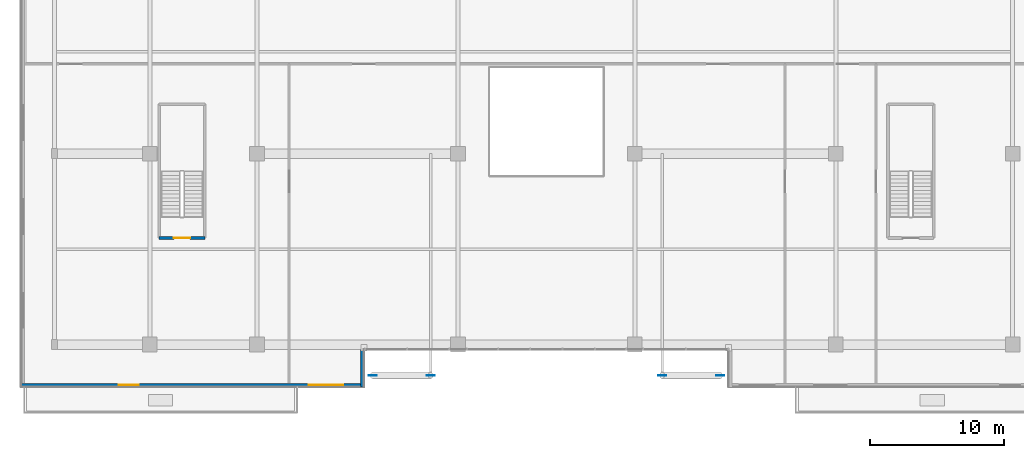
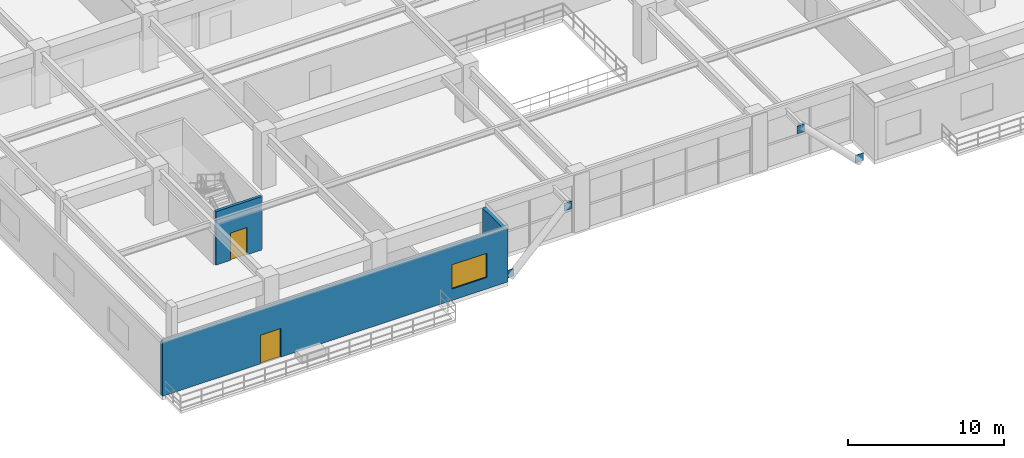
# One storey, part 14 of 24: 4 plates, 3 walls, 2 doors, 1 window, 3 openings.
"""IFC4 building model written with IfcOpenShell, lengths in metres."""

from ifc_helpers import new_model, si_unit, direction, frame, frame_2d, origin, origin_2d, place, context, subcontext, project, spatial, rectangle, extrude, source, transform, mapped, material, layer, layer_set, type_object, element, fill, save


model = new_model("IFC4")

# Units and contexts
model_context = context("Model", 3, precision=1e-05, world=origin(), true_north=direction((0.0, 1.0)))
body_context = subcontext(model_context, "Body", "Model", "MODEL_VIEW")
ifc_project = project(units=[si_unit("LENGTHUNIT", "METRE"), si_unit("AREAUNIT", "SQUARE_METRE"), si_unit("VOLUMEUNIT", "CUBIC_METRE"), si_unit("PLANEANGLEUNIT", "RADIAN"), si_unit("MASSUNIT", "GRAM", prefix="KILO")], contexts=[model_context])

# Site, building, storey
site_placement = place(None, origin())
site = spatial("IfcSite", under=ifc_project, at=site_placement, CompositionType="ELEMENT")
building_placement = place(site_placement, origin())
building = spatial("IfcBuilding", under=site, at=building_placement, Name="Trelvane Seafront Commons", CompositionType="ELEMENT")
storey_placement = place(building_placement, frame((0.0, 0.0, 9.699951171875)))
storey = spatial("IfcBuildingStorey", under=building, at=storey_placement, Name="L02", CompositionType="ELEMENT", Elevation=9.699951171875)

# Plates
ifc_material_1 = material(Name="Steel SM355 (S355)", Category="steel")
ifc_layer_1 = layer(ifc_material_1, 0.031982421875, Name="STR-PLT-GUS2")
ifc_layer_set_1 = layer_set([ifc_layer_1], Name="Steel SM355 (S355)")
plate_type = type_object("IfcPlateType", Name="STR-PLT-GUS2", PredefinedType="SHEET", material=ifc_layer_set_1)
shared_shape_1 = source(origin(), body_context, "Body", "SweptSolid", [
    extrude(rectangle(XDim=0.60009765625, YDim=0.031982421875, at=origin_2d()), origin(), (0.0, 0.0, 1.0), 0.60009765625),
])
for number, where, z_axis, x_axis, name in (
    (1, (24.239990234375, 1.64990234375, -0.3701171875), (0.0, 0.0, 1.0), (1.0, 0.0, 0.0), "L02 Brace Connection Gusset Plate GP-151"),
    (2, (28.56005859375, 1.64990234375, 3.419921875), (0.0, 0.0, 1.0), (1.0, 0.0, 0.0), "L02 Brace Connection Gusset Plate GP-152"),
    (3, (50.159912109375, 1.64990234375, -0.3701171875), (0.0, 0.0, 1.0), (1.0, 0.0, 0.0), "L02 Brace Connection Gusset Plate GP-153"),
    (4, (45.840087890625, 1.64990234375, 3.419921875), (0.0, 0.0, 1.0), (1.0, 0.0, 0.0), "L02 Brace Connection Gusset Plate GP-154"),
):
    element("IfcPlate", number, at=place(storey_placement, frame(where, z_axis=z_axis, x_axis=x_axis)), inside=storey, type_object=plate_type, Name=name, PredefinedType="SHEET", context=body_context, shape_type="MappedRepresentation", body=[
        mapped(shared_shape_1, transform((0.0, 0.0, 0.0), x_axis=(1.0, 0.0, 0.0), y_axis=(0.0, 1.0, 0.0), z_axis=(0.0, 0.0, 1.0), scale=1.0)),
    ])

# Wall
ifc_material_2 = material(Name="Precast concrete C40/50", Category="concrete")
ifc_layer_2 = layer(ifc_material_2, 0.260009765625, Name="ARCH-WALL-EXT260")
ifc_layer_set_2 = layer_set([ifc_layer_2], Name="Precast concrete C40/50")
wall_type_1 = type_object("IfcWallType", Name="ARCH-WALL-EXT260", PredefinedType="SOLIDWALL", material=ifc_layer_set_2)
wall_1_placement = place(storey_placement, frame((23.469970703125, 3.60009765625, 0.0), z_axis=(0.0, 0.0, 1.0), x_axis=(0.0, -1.0, 0.0)))
element("IfcWall", 5, at=wall_1_placement, inside=storey, type_object=wall_type_1, Name="EW-L02-00022", PredefinedType="SOLIDWALL", context=body_context, shape_type="SweptSolid", body=[
    extrude(rectangle(XDim=2.800048828125, YDim=0.260009765625, at=frame_2d((1.39990234375, 0.0))), origin(), (0.0, 0.0, 1.0), 4.199951171875),
])

# Wall, openings, window, door
wall_2_placement = place(storey_placement, frame((23.60009765625, 0.929931640625, 0.0), z_axis=(0.0, 0.0, 1.0), x_axis=(-1.0, 0.0, 0.0)))
wall_2 = element("IfcWall", 6, at=wall_2_placement, inside=storey, type_object=wall_type_1, Name="EW-L02-00023", PredefinedType="SOLIDWALL", context=body_context, shape_type="SweptSolid", body=[
    extrude(rectangle(XDim=25.60009765625, YDim=0.260009765625, at=frame_2d((12.800048828125, 0.0))), origin(), (0.0, 0.0, 1.0), 4.199951171875),
])
opening_1_placement = place(wall_2_placement, frame((1.544921875, 0.0, 0.89990234375)))
opening_1 = element("IfcOpeningElement", 7, at=opening_1_placement, cuts=wall_2, Name="Opening W04", PredefinedType="OPENING", context=body_context, shape_type="SweptSolid", body=[
    extrude(rectangle(XDim=2.60009765625, YDim=1.89990234375, at=frame_2d((1.300048828125, 0.949951171875))), frame((0.0, 0.139892578125, 0.0), z_axis=(0.0, -1.0, 0.0), x_axis=(1.0, 0.0, 0.0)), (0.0, 0.0, 1.0), 0.280029296875),
])
opening_2_placement = place(wall_2_placement, frame((16.833984375, 0.0, 0.0)))
opening_2 = element("IfcOpeningElement", 8, at=opening_2_placement, cuts=wall_2, Name="Opening BD-L02-10", PredefinedType="OPENING", context=body_context, shape_type="SweptSolid", body=[
    extrude(rectangle(XDim=1.5, YDim=2.25, at=frame_2d((0.75, 1.125))), frame((0.0, 0.139892578125, 0.0), z_axis=(0.0, -1.0, 0.0), x_axis=(1.0, 0.0, 0.0)), (0.0, 0.0, 1.0), 0.280029296875),
])
ifc_material_3 = material(Name="Low-E coastal double glazing", Category="glass")
window_type = type_object("IfcWindowType", Name="ARCH-WIN-W04", PartitioningType="SINGLE_PANEL", PredefinedType="WINDOW", material=ifc_material_3)
shared_shape_2 = source(origin(), body_context, "Body", "SweptSolid", [
    extrude(rectangle(XDim=2.60009765625, YDim=1.89990234375, at=frame_2d((1.300048828125, 0.949951171875))), frame((0.0, 0.030029296875, 0.0), z_axis=(0.0, -1.0, 0.0), x_axis=(1.0, 0.0, 0.0)), (0.0, 0.0, 1.0), 0.06005859375),
])
window_placement = place(opening_1_placement, origin())
window = element("IfcWindow", 9, at=window_placement, inside=storey, type_object=window_type, Name="WIN-L02-00032", OverallHeight=1.89990234375, OverallWidth=2.60009765625, PartitioningType="SINGLE_PANEL", PredefinedType="WINDOW", context=body_context, shape_type="MappedRepresentation", body=[
    mapped(shared_shape_2, transform((0.0, 0.0, 0.0), x_axis=(1.0, 0.0, 0.0), y_axis=(0.0, 1.0, 0.0), z_axis=(0.0, 0.0, 1.0), scale=1.0)),
])
fill(opening_1, window)
ifc_material_4 = material(Name="Powder-coated aluminium frame", Category="aluminium")
door_type_1 = type_object("IfcDoorType", Name="ARCH-DR-TER1500", OperationType="DOUBLE_DOOR_SINGLE_SWING", PredefinedType="DOOR", material=ifc_material_4)
shared_shape_3 = source(origin(), body_context, "Body", "SweptSolid", [
    extrude(rectangle(XDim=1.5, YDim=2.25, at=frame_2d((0.75, 1.125))), frame((0.0, 0.02490234375, 0.0), z_axis=(0.0, -1.0, 0.0), x_axis=(1.0, 0.0, 0.0)), (0.0, 0.0, 1.0), 0.050048828125),
])
door_1_placement = place(opening_2_placement, origin())
door_1 = element("IfcDoor", 10, at=door_1_placement, inside=storey, type_object=door_type_1, Name="L02 Balcony Terrace Access Door", OperationType="DOUBLE_DOOR_SINGLE_SWING", OverallHeight=2.25, OverallWidth=1.5, PredefinedType="DOOR", context=body_context, shape_type="MappedRepresentation", body=[
    mapped(shared_shape_3, transform((0.0, 0.0, 0.0), x_axis=(1.0, 0.0, 0.0), y_axis=(0.0, 1.0, 0.0), z_axis=(0.0, 0.0, 1.0), scale=1.0)),
])
fill(opening_2, door_1)

# Wall, opening, door
ifc_material_5 = material(Name="Concrete C50/60", Category="concrete")
ifc_layer_3 = layer(ifc_material_5, 0.199951171875, Name="STR-WALL-STAIR200")
ifc_layer_set_3 = layer_set([ifc_layer_3], Name="Concrete C50/60")
wall_type_2 = type_object("IfcWallType", Name="STR-WALL-STAIR200", PredefinedType="SHEAR", material=ifc_layer_set_3)
wall_3_placement = place(storey_placement, frame((8.300048828125, 11.89990234375, 0.0), z_axis=(0.0, 0.0, 1.0), x_axis=(1.0, 0.0, 0.0)))
wall_3 = element("IfcWall", 11, at=wall_3_placement, inside=storey, type_object=wall_type_2, Name="W-L02-ST3-S-010", PredefinedType="SHEAR", context=body_context, shape_type="SweptSolid", body=[
    extrude(rectangle(XDim=3.39990234375, YDim=0.199951171875, at=frame_2d((1.699951171875, 0.0))), origin(), (0.0, 0.0, 1.0), 4.199951171875),
])
opening_3_placement = place(wall_3_placement, frame((1.10009765625, 0.0, 0.0)))
opening_3 = element("IfcOpeningElement", 12, at=opening_3_placement, cuts=wall_3, Name="Opening ST-D-ST3-L02", PredefinedType="OPENING", context=body_context, shape_type="SweptSolid", body=[
    extrude(rectangle(XDim=1.199951171875, YDim=2.14990234375, at=frame_2d((0.60009765625, 1.074951171875))), frame((0.0, 0.10986328125, 0.0), z_axis=(0.0, -1.0, 0.0), x_axis=(1.0, 0.0, 0.0)), (0.0, 0.0, 1.0), 0.219970703125),
])
door_type_2 = type_object("IfcDoorType", Name="ARCH-DR-FD90-1200", OperationType="NOTDEFINED", PredefinedType="DOOR", material=ifc_material_4)
shared_shape_4 = source(origin(), body_context, "Body", "SweptSolid", [
    extrude(rectangle(XDim=1.199951171875, YDim=2.14990234375, at=frame_2d((0.60009765625, 1.074951171875))), frame((0.0, 0.02490234375, 0.0), z_axis=(0.0, -1.0, 0.0), x_axis=(1.0, 0.0, 0.0)), (0.0, 0.0, 1.0), 0.050048828125),
])
door_2_placement = place(opening_3_placement, origin())
door_2 = element("IfcDoor", 13, at=door_2_placement, inside=storey, type_object=door_type_2, Name="L02 Podium ST3 Fire Door", OperationType="SINGLE_SWING_LEFT", OverallHeight=2.14990234375, OverallWidth=1.199951171875, PredefinedType="DOOR", context=body_context, shape_type="MappedRepresentation", body=[
    mapped(shared_shape_4, transform((0.0, 0.0, 0.0), x_axis=(1.0, 0.0, 0.0), y_axis=(0.0, 1.0, 0.0), z_axis=(0.0, 0.0, 1.0), scale=1.0)),
])
fill(opening_3, door_2)

save(model, "model.ifc")
